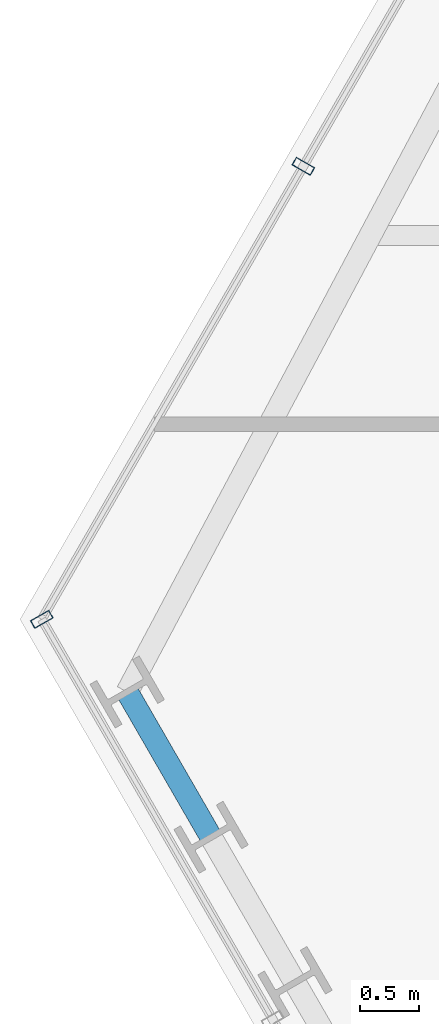
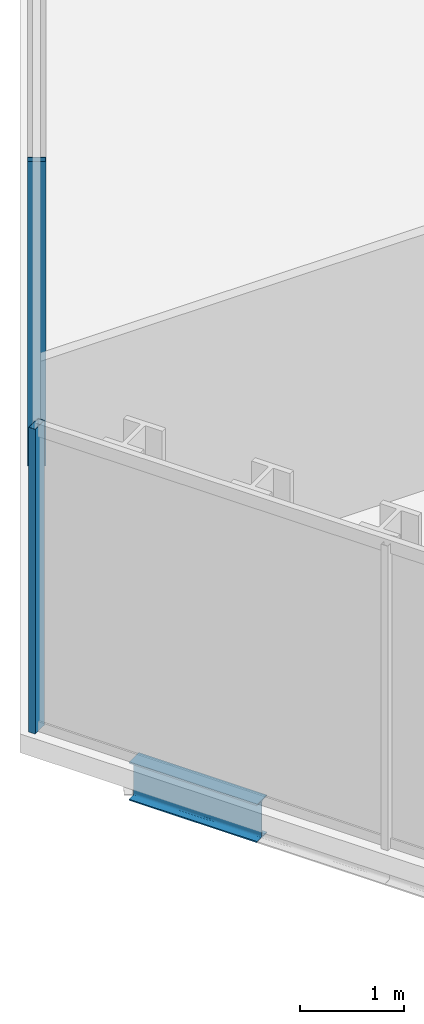
# One storey, part 5 of 31: 2 members, 1 beam, 2 elements without a shape of their own.
"""IFC4 building model written with IfcOpenShell, lengths in metres."""

from ifc_helpers import new_model, si_unit, direction, frame, origin, origin_2d, place, context, subcontext, project, spatial, hollow_rectangle, i_section, extrude, material, layer, layer_set, material_profile, profile_set, type_object, element, aggregate, save


model = new_model("IFC4")

# Units and contexts
model_context = context("Model", 3, precision=1e-05, world=origin(), true_north=direction((0.0, 1.0)))
body_context = subcontext(model_context, "Body", "Model", "MODEL_VIEW")
ifc_project = project(units=[si_unit("LENGTHUNIT", "METRE"), si_unit("AREAUNIT", "SQUARE_METRE"), si_unit("VOLUMEUNIT", "CUBIC_METRE"), si_unit("PLANEANGLEUNIT", "RADIAN"), si_unit("MASSUNIT", "GRAM", prefix="KILO")], contexts=[model_context])

# Site, building, storey
site_placement = place(None, origin())
site = spatial("IfcSite", under=ifc_project, at=site_placement, CompositionType="ELEMENT")
building_placement = place(site_placement, origin())
building = spatial("IfcBuilding", under=site, at=building_placement, Name="Ndaravel Arena Tower", CompositionType="ELEMENT")
storey_placement = place(building_placement, frame((0.0, 0.0, 142.199951171875)))
storey = spatial("IfcBuildingStorey", under=building, at=storey_placement, Name="L33", CompositionType="ELEMENT", Elevation=142.199951171875)

# Beam
ifc_material_1 = material(Name="Steel S355", Category="steel")
ifc_material_profile_1 = material_profile(ifc_material_1, i_section(OverallWidth=0.18994140625, OverallDepth=0.449951171875, WebThickness=0.009521484375, FlangeThickness=0.0146484375, FilletRadius=0.02099609375, at=origin_2d()), Name="IPE 450")
ifc_profile_set_1 = profile_set([ifc_material_profile_1], Name="Steel S355")
beam_type = type_object("IfcBeamType", Name="BM-SPAN-IPE450", PredefinedType="SPANDREL", material=ifc_profile_set_1)
beam_placement = place(storey_placement, frame((19.0859375, 14.726806640625, -0.445068359375), z_axis=(0.499920397431, -0.866071357471, 0.0), x_axis=(0.866071357471, 0.499920397431, 0.0)))
element("IfcBeam", 1, at=beam_placement, inside=storey, type_object=beam_type, Name="L33 Perimeter Spandrel Beam SP-20", PredefinedType="SPANDREL", context=body_context, shape_type="SweptSolid", body=[
    extrude(i_section(OverallWidth=0.18994140625, OverallDepth=0.449951171875, WebThickness=0.009521484375, FlangeThickness=0.0146484375, FilletRadius=0.02099609375, at=origin_2d()), origin(), (0.0, 0.0, 1.0), 1.423583984375),
])

# Curtain wall, member
ifc_material_2 = material(Name="Aluminium", Category="aluminium")
ifc_layer_1 = layer(ifc_material_2, 0.179931640625)
ifc_layer_set_1 = layer_set([ifc_layer_1], Name="Aluminium")
curtain_wall_type_1 = type_object("IfcCurtainWallType", Name="CW-SYS-03", PredefinedType="NOTDEFINED", material=ifc_layer_set_1)
curtain_wall_1_placement = place(storey_placement, origin())
curtain_wall_1 = element("IfcCurtainWall", 2, at=curtain_wall_1_placement, inside=storey, type_object=curtain_wall_type_1, Name="L33 Faceted Crystal Curtain Wall CW-L33-E05", PredefinedType="NOTDEFINED")
ifc_material_3 = material(Name="Aluminium", Category="aluminium")
ifc_material_profile_2 = material_profile(ifc_material_3, hollow_rectangle(XDim=0.074951171875, YDim=0.179931640625, WallThickness=0.00390625, at=origin_2d()), Name="CW MULLION 75x180x4")
ifc_profile_set_2 = profile_set([ifc_material_profile_2], Name="Aluminium")
member_type = type_object("IfcMemberType", Name="MEM-CW-MUL180", PredefinedType="MULLION", material=ifc_profile_set_2)
member_1_placement = place(storey_placement, frame((20.58056640625, 19.1884765625, 0.0), z_axis=(0.0, 0.0, 1.0), x_axis=(-0.5, -0.866025403784, 0.0)))
member_1 = element("IfcMember", 3, at=member_1_placement, type_object=member_type, Name="CW-L33-E05 Mullion 07", PredefinedType="MULLION", context=body_context, shape_type="SweptSolid", body=[
    extrude(hollow_rectangle(XDim=0.074951171875, YDim=0.179931640625, WallThickness=0.00390625, at=origin_2d()), origin(), (0.0, 0.0, 1.0), 3.580078125),
])
aggregate(curtain_wall_1, [member_1])

ifc_material_4 = material(Name="Aluminium", Category="aluminium")
ifc_layer_2 = layer(ifc_material_4, 0.179931640625)
ifc_layer_set_2 = layer_set([ifc_layer_2], Name="Aluminium")
curtain_wall_type_2 = type_object("IfcCurtainWallType", Name="CW-SYS-02", PredefinedType="NOTDEFINED", material=ifc_layer_set_2)
curtain_wall_2_placement = place(storey_placement, origin())
curtain_wall_2 = element("IfcCurtainWall", 4, at=curtain_wall_2_placement, inside=storey, type_object=curtain_wall_type_2, Name="L33 Faceted Crystal Curtain Wall CW-L33-E06", PredefinedType="NOTDEFINED")
member_2_placement = place(storey_placement, frame((18.360595703125, 15.34326171875, 0.0), z_axis=(0.0, 0.0, 1.0), x_axis=(0.5, -0.866025403784, 0.0)))
member_2 = element("IfcMember", 5, at=member_2_placement, type_object=member_type, Name="CW-L33-E06 Mullion 00", PredefinedType="MULLION", context=body_context, shape_type="SweptSolid", body=[
    extrude(hollow_rectangle(XDim=0.074951171875, YDim=0.179931640625, WallThickness=0.00390625, at=origin_2d()), origin(), (0.0, 0.0, 1.0), 3.580078125),
])
aggregate(curtain_wall_2, [member_2])

save(model, "model.ifc")
